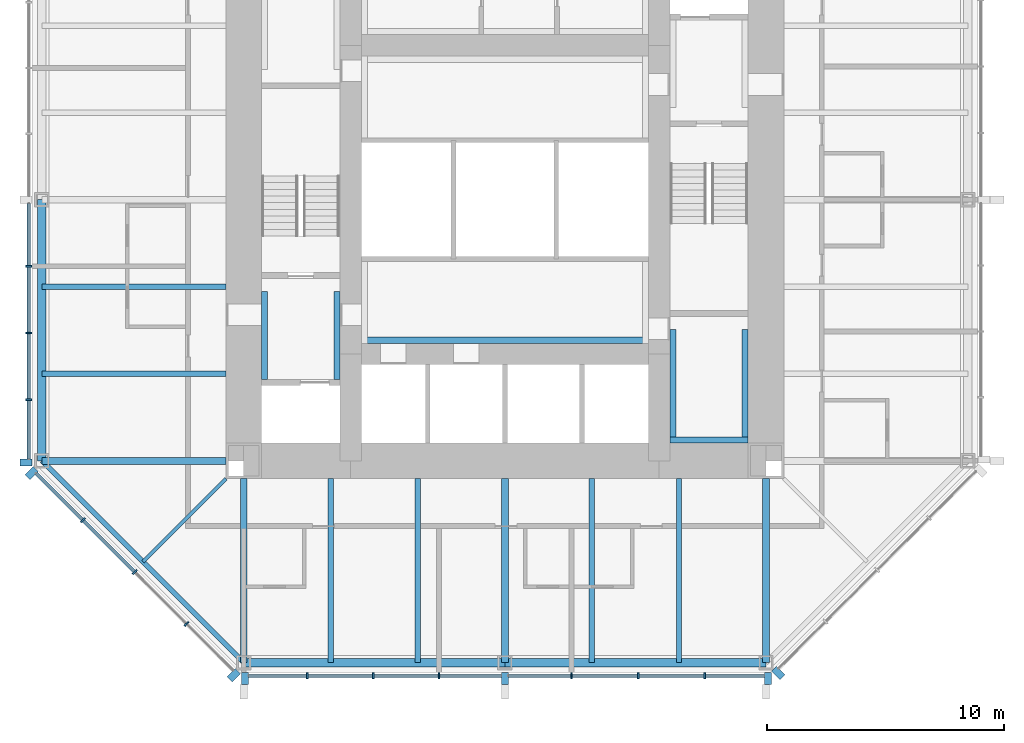
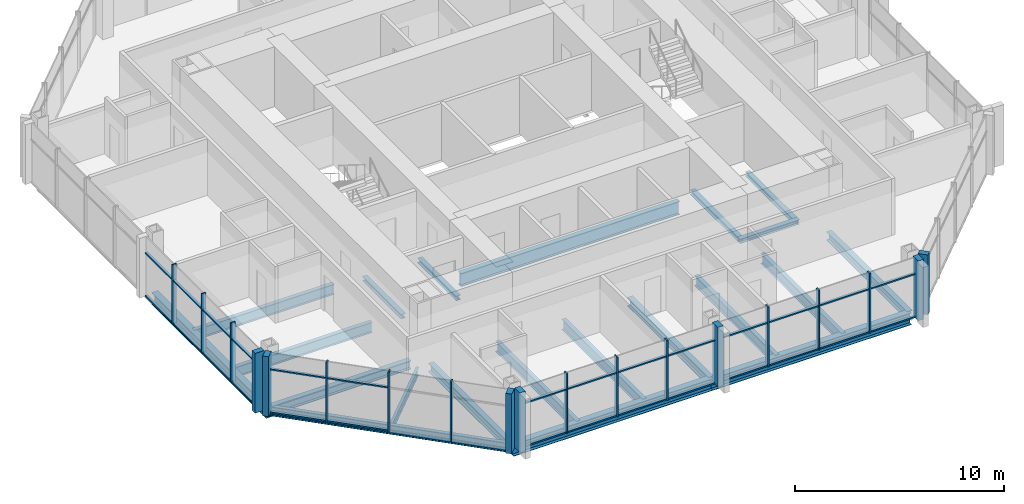
# One storey, part 2 of 11: 47 members, 21 beams, 4 elements without a shape of their own.
"""IFC4 building model written with IfcOpenShell, lengths in metres."""

from ifc_helpers import new_model, si_unit, direction, frame, origin, origin_2d, place, context, subcontext, project, spatial, rectangle, i_section, extrude, material, material_profile, profile_set, type_object, element, aggregate, save


model = new_model("IFC4")

# Units and contexts
model_context = context("Model", 3, precision=1e-05, world=origin(), true_north=direction((0.0, 1.0)))
body_context = subcontext(model_context, "Body", "Model", "MODEL_VIEW")
ifc_project = project(units=[si_unit("LENGTHUNIT", "METRE"), si_unit("AREAUNIT", "SQUARE_METRE"), si_unit("VOLUMEUNIT", "CUBIC_METRE"), si_unit("PLANEANGLEUNIT", "RADIAN"), si_unit("MASSUNIT", "GRAM", prefix="KILO")], contexts=[model_context])

# Site, building, storey
site_placement = place(None, origin())
site = spatial("IfcSite", under=ifc_project, at=site_placement, CompositionType="ELEMENT")
building_placement = place(site_placement, origin())
building = spatial("IfcBuilding", under=site, at=building_placement, Name="Trevanion Tower", CompositionType="ELEMENT")
storey_placement = place(building_placement, frame((0.0, 0.0, 211.699951171875)))
storey = spatial("IfcBuildingStorey", under=building, at=storey_placement, Name="L50", CompositionType="ELEMENT", Elevation=211.699951171875)

# Beams
ifc_material_1 = material(Name="Steel ASTM A992 Grade 50", Category="steel")
ifc_material_profile_1 = material_profile(ifc_material_1, i_section(OverallWidth=0.228271484375, OverallDepth=0.607177734375, WebThickness=0.01123046875, FlangeThickness=0.017333984375, at=origin_2d()), Name="W24X76")
ifc_profile_set_1 = profile_set([ifc_material_profile_1], Name="Steel ASTM A992 Grade 50")
beam_type_1 = type_object("IfcBeamType", Name="B11 W24X76", PredefinedType="BEAM", material=ifc_profile_set_1)
for number, where, z_axis, x_axis, name in (
    (1, (-11.75, -3.666748046875, -0.493408203125), (-1.0, 0.0, 0.0), (0.0, -1.0, 0.0), "B11 L50"),
    (2, (-11.75, -7.333251953125, -0.493408203125), (-1.0, 0.0, 0.0), (0.0, -1.0, 0.0), "B11 L50"),
    (3, (-7.333251953125, -11.75, -0.493408203125), (0.0, -1.0, 0.0), (1.0, 0.0, 0.0), "B11 L50"),
    (4, (-3.666748046875, -11.75, -0.493408203125), (0.0, -1.0, 0.0), (1.0, 0.0, 0.0), "B11 L50"),
    (5, (3.666748046875, -11.75, -0.493408203125), (0.0, -1.0, 0.0), (1.0, 0.0, 0.0), "B11 L50"),
    (6, (7.333251953125, -11.75, -0.493408203125), (0.0, -1.0, 0.0), (1.0, 0.0, 0.0), "B11 L50"),
):
    element("IfcBeam", number, at=place(storey_placement, frame(where, z_axis=z_axis, x_axis=x_axis)), inside=storey, type_object=beam_type_1, Name=name, PredefinedType="BEAM", context=body_context, shape_type="SweptSolid", body=[
        extrude(i_section(OverallWidth=0.228271484375, OverallDepth=0.607177734375, WebThickness=0.01123046875, FlangeThickness=0.017333984375, at=origin_2d()), origin(), (0.0, 0.0, 1.0), 7.75),
    ])
ifc_material_2 = material(Name="Steel ASTM A992 Grade 50", Category="steel")
ifc_material_profile_2 = material_profile(ifc_material_2, i_section(OverallWidth=0.15234375, OverallDepth=0.449462890625, WebThickness=0.007568359375, FlangeThickness=0.0107421875, at=origin_2d()), Name="W18X35")
ifc_profile_set_2 = profile_set([ifc_material_profile_2], Name="Steel ASTM A992 Grade 50")
beam_type_2 = type_object("IfcBeamType", Name="B12 W18X35", PredefinedType="BEAM", material=ifc_profile_set_2)
beam_1_placement = place(storey_placement, frame((-11.75, -11.75, -0.414794921875), z_axis=(-0.707106781187, -0.707106781187, 0.0), x_axis=(0.707106781187, -0.707106781187, 0.0)))
element("IfcBeam", 7, at=beam_1_placement, inside=storey, type_object=beam_type_2, Name="B12 L50", PredefinedType="BEAM", context=body_context, shape_type="SweptSolid", body=[
    extrude(i_section(OverallWidth=0.15234375, OverallDepth=0.449462890625, WebThickness=0.007568359375, FlangeThickness=0.0107421875, at=origin_2d()), origin(), (0.0, 0.0, 1.0), 4.94970703125),
])

# Curtain wall, members
ifc_material_3 = material(Name="Aluminium and glass", Category="aluminium")
curtain_wall_type = type_object("IfcCurtainWallType", Name="CW3 curtain wall", PredefinedType="USERDEFINED", material=ifc_material_3)
curtain_wall_1_placement = place(storey_placement, origin())
curtain_wall_1 = element("IfcCurtainWall", 8, at=curtain_wall_1_placement, inside=storey, type_object=curtain_wall_type, Name="CW3 L50 4", ObjectType="UNITISED CURTAIN WALL", PredefinedType="USERDEFINED")
ifc_material_4 = material(Name="Aluminium extrusion, anodised bronze", Category="aluminium")
ifc_material_profile_3 = material_profile(ifc_material_4, rectangle(XDim=0.074951171875, YDim=0.25, at=origin_2d()), Name="CW3 mullion")
ifc_profile_set_3 = profile_set([ifc_material_profile_3], Name="Aluminium extrusion, anodised bronze")
member_type_1 = type_object("IfcMemberType", Name="CW3 mullion", PredefinedType="MULLION", material=ifc_profile_set_3)
member_1_placement = place(storey_placement, frame((-20.050048828125, -2.806884765625, -0.18994140625), z_axis=(0.0, 0.0, 1.0), x_axis=(0.0, -1.0, 0.0)))
member_1 = element("IfcMember", 9, at=member_1_placement, type_object=member_type_1, Name="CW3 mullion 6", PredefinedType="MULLION", context=body_context, shape_type="SweptSolid", body=[
    extrude(rectangle(XDim=0.074951171875, YDim=0.25, at=origin_2d()), origin(), (0.0, 0.0, 1.0), 3.5),
])
member_2_placement = place(storey_placement, frame((-20.050048828125, -5.614013671875, -0.18994140625), z_axis=(0.0, 0.0, 1.0), x_axis=(0.0, -1.0, 0.0)))
member_2 = element("IfcMember", 10, at=member_2_placement, type_object=member_type_1, Name="CW3 mullion 7", PredefinedType="MULLION", context=body_context, shape_type="SweptSolid", body=[
    extrude(rectangle(XDim=0.074951171875, YDim=0.25, at=origin_2d()), origin(), (0.0, 0.0, 1.0), 3.5),
])
member_3_placement = place(storey_placement, frame((-20.050048828125, -8.4208984375, -0.18994140625), z_axis=(0.0, 0.0, 1.0), x_axis=(0.0, -1.0, 0.0)))
member_3 = element("IfcMember", 11, at=member_3_placement, type_object=member_type_1, Name="CW3 mullion 8", PredefinedType="MULLION", context=body_context, shape_type="SweptSolid", body=[
    extrude(rectangle(XDim=0.074951171875, YDim=0.25, at=origin_2d()), origin(), (0.0, 0.0, 1.0), 3.5),
])

curtain_wall_2_placement = place(storey_placement, origin())
curtain_wall_2 = element("IfcCurtainWall", 12, at=curtain_wall_2_placement, inside=storey, type_object=curtain_wall_type, Name="CW3 L50 5", ObjectType="UNITISED CURTAIN WALL", PredefinedType="USERDEFINED")
member_4_placement = place(storey_placement, frame((-17.775390625, -13.502197265625, -0.18994140625), z_axis=(0.0, 0.0, 1.0), x_axis=(0.707106781187, -0.707106781187, 0.0)))
member_4 = element("IfcMember", 13, at=member_4_placement, type_object=member_type_1, Name="CW3 mullion 2", PredefinedType="MULLION", context=body_context, shape_type="SweptSolid", body=[
    extrude(rectangle(XDim=0.074951171875, YDim=0.25, at=origin_2d()), origin(), (0.0, 0.0, 1.0), 3.5),
])
member_5_placement = place(storey_placement, frame((-15.593017578125, -15.684814453125, -0.18994140625), z_axis=(0.0, 0.0, 1.0), x_axis=(0.707106781187, -0.707106781187, 0.0)))
member_5 = element("IfcMember", 14, at=member_5_placement, type_object=member_type_1, Name="CW3 mullion 3", PredefinedType="MULLION", context=body_context, shape_type="SweptSolid", body=[
    extrude(rectangle(XDim=0.074951171875, YDim=0.25, at=origin_2d()), origin(), (0.0, 0.0, 1.0), 3.5),
])
member_6_placement = place(storey_placement, frame((-13.410400390625, -17.867431640625, -0.18994140625), z_axis=(0.0, 0.0, 1.0), x_axis=(0.707106781187, -0.707106781187, 0.0)))
member_6 = element("IfcMember", 15, at=member_6_placement, type_object=member_type_1, Name="CW3 mullion 4", PredefinedType="MULLION", context=body_context, shape_type="SweptSolid", body=[
    extrude(rectangle(XDim=0.074951171875, YDim=0.25, at=origin_2d()), origin(), (0.0, 0.0, 1.0), 3.5),
])

curtain_wall_3_placement = place(storey_placement, origin())
curtain_wall_3 = element("IfcCurtainWall", 16, at=curtain_wall_3_placement, inside=storey, type_object=curtain_wall_type, Name="CW3 L50 6", ObjectType="UNITISED CURTAIN WALL", PredefinedType="USERDEFINED")
member_7_placement = place(storey_placement, frame((-8.323486328125, -20.050048828125, -0.18994140625), z_axis=(0.0, 0.0, 1.0), x_axis=(1.0, 0.0, 0.0)))
member_7 = element("IfcMember", 17, at=member_7_placement, type_object=member_type_1, Name="CW3 mullion 2", PredefinedType="MULLION", context=body_context, shape_type="SweptSolid", body=[
    extrude(rectangle(XDim=0.074951171875, YDim=0.25, at=origin_2d()), origin(), (0.0, 0.0, 1.0), 3.5),
])
member_8_placement = place(storey_placement, frame((-5.548828125, -20.050048828125, -0.18994140625), z_axis=(0.0, 0.0, 1.0), x_axis=(1.0, 0.0, 0.0)))
member_8 = element("IfcMember", 18, at=member_8_placement, type_object=member_type_1, Name="CW3 mullion 3", PredefinedType="MULLION", context=body_context, shape_type="SweptSolid", body=[
    extrude(rectangle(XDim=0.074951171875, YDim=0.25, at=origin_2d()), origin(), (0.0, 0.0, 1.0), 3.5),
])
member_9_placement = place(storey_placement, frame((-2.7744140625, -20.050048828125, -0.18994140625), z_axis=(0.0, 0.0, 1.0), x_axis=(1.0, 0.0, 0.0)))
member_9 = element("IfcMember", 19, at=member_9_placement, type_object=member_type_1, Name="CW3 mullion 4", PredefinedType="MULLION", context=body_context, shape_type="SweptSolid", body=[
    extrude(rectangle(XDim=0.074951171875, YDim=0.25, at=origin_2d()), origin(), (0.0, 0.0, 1.0), 3.5),
])
member_10_placement = place(storey_placement, frame((2.806884765625, -20.050048828125, -0.18994140625), z_axis=(0.0, 0.0, 1.0), x_axis=(1.0, 0.0, 0.0)))
member_10 = element("IfcMember", 20, at=member_10_placement, type_object=member_type_1, Name="CW3 mullion 6", PredefinedType="MULLION", context=body_context, shape_type="SweptSolid", body=[
    extrude(rectangle(XDim=0.074951171875, YDim=0.25, at=origin_2d()), origin(), (0.0, 0.0, 1.0), 3.5),
])
member_11_placement = place(storey_placement, frame((5.614013671875, -20.050048828125, -0.18994140625), z_axis=(0.0, 0.0, 1.0), x_axis=(1.0, 0.0, 0.0)))
member_11 = element("IfcMember", 21, at=member_11_placement, type_object=member_type_1, Name="CW3 mullion 7", PredefinedType="MULLION", context=body_context, shape_type="SweptSolid", body=[
    extrude(rectangle(XDim=0.074951171875, YDim=0.25, at=origin_2d()), origin(), (0.0, 0.0, 1.0), 3.5),
])
member_12_placement = place(storey_placement, frame((8.4208984375, -20.050048828125, -0.18994140625), z_axis=(0.0, 0.0, 1.0), x_axis=(1.0, 0.0, 0.0)))
member_12 = element("IfcMember", 22, at=member_12_placement, type_object=member_type_1, Name="CW3 mullion 8", PredefinedType="MULLION", context=body_context, shape_type="SweptSolid", body=[
    extrude(rectangle(XDim=0.074951171875, YDim=0.25, at=origin_2d()), origin(), (0.0, 0.0, 1.0), 3.5),
])

# Member
ifc_material_5 = material(Name="Aluminium extrusion, anodised bronze", Category="aluminium")
ifc_material_profile_4 = material_profile(ifc_material_5, rectangle(XDim=0.300048828125, YDim=0.5, at=origin_2d()), Name="CW3 pier mullion")
ifc_profile_set_4 = profile_set([ifc_material_profile_4], Name="Aluminium extrusion, anodised bronze")
member_type_2 = type_object("IfcMemberType", Name="CW3 pier mullion", PredefinedType="MULLION", material=ifc_profile_set_4)
member_13_placement = place(storey_placement, frame((-20.175048828125, -11.077880859375, -0.18994140625), z_axis=(0.0, 0.0, 1.0), x_axis=(0.0, -1.0, 0.0)))
member_13 = element("IfcMember", 23, at=member_13_placement, type_object=member_type_2, Name="CW3 pier mullion 9", PredefinedType="MULLION", context=body_context, shape_type="SweptSolid", body=[
    extrude(rectangle(XDim=0.300048828125, YDim=0.5, at=origin_2d()), origin(), (0.0, 0.0, 1.0), 3.5),
])

member_14_placement = place(storey_placement, frame((-19.9404296875, -11.51416015625, -0.18994140625), z_axis=(0.0, 0.0, 1.0), x_axis=(0.707106781187, -0.707106781187, 0.0)))
member_14 = element("IfcMember", 24, at=member_14_placement, type_object=member_type_2, Name="CW3 pier mullion 1", PredefinedType="MULLION", context=body_context, shape_type="SweptSolid", body=[
    extrude(rectangle(XDim=0.300048828125, YDim=0.5, at=origin_2d()), origin(), (0.0, 0.0, 1.0), 3.5),
])

member_15_placement = place(storey_placement, frame((-11.42236328125, -20.0322265625, -0.18994140625), z_axis=(0.0, 0.0, 1.0), x_axis=(0.707106781187, -0.707106781187, 0.0)))
member_15 = element("IfcMember", 25, at=member_15_placement, type_object=member_type_2, Name="CW3 pier mullion 5", PredefinedType="MULLION", context=body_context, shape_type="SweptSolid", body=[
    extrude(rectangle(XDim=0.300048828125, YDim=0.5, at=origin_2d()), origin(), (0.0, 0.0, 1.0), 3.5),
])

member_16_placement = place(storey_placement, frame((-10.94775390625, -20.175048828125, -0.18994140625), z_axis=(0.0, 0.0, 1.0), x_axis=(1.0, 0.0, 0.0)))
member_16 = element("IfcMember", 26, at=member_16_placement, type_object=member_type_2, Name="CW3 pier mullion 1", PredefinedType="MULLION", context=body_context, shape_type="SweptSolid", body=[
    extrude(rectangle(XDim=0.300048828125, YDim=0.5, at=origin_2d()), origin(), (0.0, 0.0, 1.0), 3.5),
])

member_17_placement = place(storey_placement, frame((0.0, -20.175048828125, -0.18994140625), z_axis=(0.0, 0.0, 1.0), x_axis=(1.0, 0.0, 0.0)))
member_17 = element("IfcMember", 27, at=member_17_placement, type_object=member_type_2, Name="CW3 pier mullion 5", PredefinedType="MULLION", context=body_context, shape_type="SweptSolid", body=[
    extrude(rectangle(XDim=0.300048828125, YDim=0.5, at=origin_2d()), origin(), (0.0, 0.0, 1.0), 3.5),
])

member_18_placement = place(storey_placement, frame((11.077880859375, -20.175048828125, -0.18994140625), z_axis=(0.0, 0.0, 1.0), x_axis=(1.0, 0.0, 0.0)))
member_18 = element("IfcMember", 28, at=member_18_placement, type_object=member_type_2, Name="CW3 pier mullion 9", PredefinedType="MULLION", context=body_context, shape_type="SweptSolid", body=[
    extrude(rectangle(XDim=0.300048828125, YDim=0.5, at=origin_2d()), origin(), (0.0, 0.0, 1.0), 3.5),
])

# Curtain wall, member
curtain_wall_4_placement = place(storey_placement, origin())
curtain_wall_4 = element("IfcCurtainWall", 29, at=curtain_wall_4_placement, inside=storey, type_object=curtain_wall_type, Name="CW3 L50 7", ObjectType="UNITISED CURTAIN WALL", PredefinedType="USERDEFINED")
member_19_placement = place(storey_placement, frame((11.51416015625, -19.9404296875, -0.18994140625), z_axis=(0.0, 0.0, 1.0), x_axis=(0.707106781187, 0.707106781187, 0.0)))
member_19 = element("IfcMember", 30, at=member_19_placement, type_object=member_type_2, Name="CW3 pier mullion 1", PredefinedType="MULLION", context=body_context, shape_type="SweptSolid", body=[
    extrude(rectangle(XDim=0.300048828125, YDim=0.5, at=origin_2d()), origin(), (0.0, 0.0, 1.0), 3.5),
])
aggregate(curtain_wall_4, [member_19])

# Member
ifc_material_6 = material(Name="Aluminium extrusion, anodised bronze", Category="aluminium")
ifc_material_profile_5 = material_profile(ifc_material_6, rectangle(XDim=0.14990234375, YDim=0.074951171875, at=origin_2d()), Name="CW3 transom")
ifc_profile_set_5 = profile_set([ifc_material_profile_5], Name="Aluminium extrusion, anodised bronze")
member_type_3 = type_object("IfcMemberType", Name="CW3 transom", PredefinedType="USERDEFINED", material=ifc_profile_set_5)
member_20_placement = place(storey_placement, frame((-20.050048828125, -0.14990234375, -0.15234375), z_axis=(0.0, -1.0, 0.0), x_axis=(1.0, 0.0, 0.0)))
member_20 = element("IfcMember", 31, at=member_20_placement, type_object=member_type_3, Name="CW3 transom 5.1", ObjectType="TRANSOM", PredefinedType="USERDEFINED", context=body_context, shape_type="SweptSolid", body=[
    extrude(rectangle(XDim=0.14990234375, YDim=0.074951171875, at=origin_2d()), origin(), (0.0, 0.0, 1.0), 2.619384765625),
])

member_21_placement = place(storey_placement, frame((-20.050048828125, -0.14990234375, 2.360107421875), z_axis=(0.0, -1.0, 0.0), x_axis=(1.0, 0.0, 0.0)))
member_21 = element("IfcMember", 32, at=member_21_placement, type_object=member_type_3, Name="CW3 transom 5.2", ObjectType="TRANSOM", PredefinedType="USERDEFINED", context=body_context, shape_type="SweptSolid", body=[
    extrude(rectangle(XDim=0.14990234375, YDim=0.074951171875, at=origin_2d()), origin(), (0.0, 0.0, 1.0), 2.619384765625),
])

member_22_placement = place(storey_placement, frame((-20.050048828125, -2.844482421875, -0.15234375), z_axis=(0.0, -1.0, 0.0), x_axis=(1.0, 0.0, 0.0)))
member_22 = element("IfcMember", 33, at=member_22_placement, type_object=member_type_3, Name="CW3 transom 6.1", ObjectType="TRANSOM", PredefinedType="USERDEFINED", context=body_context, shape_type="SweptSolid", body=[
    extrude(rectangle(XDim=0.14990234375, YDim=0.074951171875, at=origin_2d()), origin(), (0.0, 0.0, 1.0), 2.73193359375),
])

member_23_placement = place(storey_placement, frame((-20.050048828125, -2.844482421875, 2.360107421875), z_axis=(0.0, -1.0, 0.0), x_axis=(1.0, 0.0, 0.0)))
member_23 = element("IfcMember", 34, at=member_23_placement, type_object=member_type_3, Name="CW3 transom 6.2", ObjectType="TRANSOM", PredefinedType="USERDEFINED", context=body_context, shape_type="SweptSolid", body=[
    extrude(rectangle(XDim=0.14990234375, YDim=0.074951171875, at=origin_2d()), origin(), (0.0, 0.0, 1.0), 2.73193359375),
])

member_24_placement = place(storey_placement, frame((-20.050048828125, -5.6513671875, -0.15234375), z_axis=(0.0, -1.0, 0.0), x_axis=(1.0, 0.0, 0.0)))
member_24 = element("IfcMember", 35, at=member_24_placement, type_object=member_type_3, Name="CW3 transom 7.1", ObjectType="TRANSOM", PredefinedType="USERDEFINED", context=body_context, shape_type="SweptSolid", body=[
    extrude(rectangle(XDim=0.14990234375, YDim=0.074951171875, at=origin_2d()), origin(), (0.0, 0.0, 1.0), 2.73193359375),
])

member_25_placement = place(storey_placement, frame((-20.050048828125, -5.6513671875, 2.360107421875), z_axis=(0.0, -1.0, 0.0), x_axis=(1.0, 0.0, 0.0)))
member_25 = element("IfcMember", 36, at=member_25_placement, type_object=member_type_3, Name="CW3 transom 7.2", ObjectType="TRANSOM", PredefinedType="USERDEFINED", context=body_context, shape_type="SweptSolid", body=[
    extrude(rectangle(XDim=0.14990234375, YDim=0.074951171875, at=origin_2d()), origin(), (0.0, 0.0, 1.0), 2.73193359375),
])

member_26_placement = place(storey_placement, frame((-20.050048828125, -8.45849609375, -0.15234375), z_axis=(0.0, -1.0, 0.0), x_axis=(1.0, 0.0, 0.0)))
member_26 = element("IfcMember", 37, at=member_26_placement, type_object=member_type_3, Name="CW3 transom 8.1", ObjectType="TRANSOM", PredefinedType="USERDEFINED", context=body_context, shape_type="SweptSolid", body=[
    extrude(rectangle(XDim=0.14990234375, YDim=0.074951171875, at=origin_2d()), origin(), (0.0, 0.0, 1.0), 2.46923828125),
])

member_27_placement = place(storey_placement, frame((-20.050048828125, -8.45849609375, 2.360107421875), z_axis=(0.0, -1.0, 0.0), x_axis=(1.0, 0.0, 0.0)))
member_27 = element("IfcMember", 38, at=member_27_placement, type_object=member_type_3, Name="CW3 transom 8.2", ObjectType="TRANSOM", PredefinedType="USERDEFINED", context=body_context, shape_type="SweptSolid", body=[
    extrude(rectangle(XDim=0.14990234375, YDim=0.074951171875, at=origin_2d()), origin(), (0.0, 0.0, 1.0), 2.46923828125),
])

aggregate(curtain_wall_1, [member_1, member_2, member_3, member_13, member_20, member_21, member_22, member_23, member_24, member_25, member_26, member_27])

member_28_placement = place(storey_placement, frame((-19.745849609375, -11.531982421875, -0.15234375), z_axis=(0.707106781187, -0.707106781187, 0.0), x_axis=(0.707106781187, 0.707106781187, 0.0)))
member_28 = element("IfcMember", 39, at=member_28_placement, type_object=member_type_3, Name="CW3 transom 1.1", ObjectType="TRANSOM", PredefinedType="USERDEFINED", context=body_context, shape_type="SweptSolid", body=[
    extrude(rectangle(XDim=0.14990234375, YDim=0.074951171875, at=origin_2d()), origin(), (0.0, 0.0, 1.0), 2.7490234375),
])

member_29_placement = place(storey_placement, frame((-19.745849609375, -11.531982421875, 2.360107421875), z_axis=(0.707106781187, -0.707106781187, 0.0), x_axis=(0.707106781187, 0.707106781187, 0.0)))
member_29 = element("IfcMember", 40, at=member_29_placement, type_object=member_type_3, Name="CW3 transom 1.2", ObjectType="TRANSOM", PredefinedType="USERDEFINED", context=body_context, shape_type="SweptSolid", body=[
    extrude(rectangle(XDim=0.14990234375, YDim=0.074951171875, at=origin_2d()), origin(), (0.0, 0.0, 1.0), 2.7490234375),
])

member_30_placement = place(storey_placement, frame((-17.7490234375, -13.52880859375, -0.15234375), z_axis=(0.707106781187, -0.707106781187, 0.0), x_axis=(0.707106781187, 0.707106781187, 0.0)))
member_30 = element("IfcMember", 41, at=member_30_placement, type_object=member_type_3, Name="CW3 transom 2.1", ObjectType="TRANSOM", PredefinedType="USERDEFINED", context=body_context, shape_type="SweptSolid", body=[
    extrude(rectangle(XDim=0.14990234375, YDim=0.074951171875, at=origin_2d()), origin(), (0.0, 0.0, 1.0), 3.01171875),
])

member_31_placement = place(storey_placement, frame((-17.7490234375, -13.52880859375, 2.360107421875), z_axis=(0.707106781187, -0.707106781187, 0.0), x_axis=(0.707106781187, 0.707106781187, 0.0)))
member_31 = element("IfcMember", 42, at=member_31_placement, type_object=member_type_3, Name="CW3 transom 2.2", ObjectType="TRANSOM", PredefinedType="USERDEFINED", context=body_context, shape_type="SweptSolid", body=[
    extrude(rectangle(XDim=0.14990234375, YDim=0.074951171875, at=origin_2d()), origin(), (0.0, 0.0, 1.0), 3.01171875),
])

aggregate(curtain_wall_2, [member_14, member_4, member_5, member_6, member_15, member_28, member_29, member_30, member_31])

member_32_placement = place(storey_placement, frame((-10.7978515625, -20.050048828125, -0.15234375), z_axis=(1.0, 0.0, 0.0), x_axis=(0.0, 1.0, 0.0)))
member_32 = element("IfcMember", 43, at=member_32_placement, type_object=member_type_3, Name="CW3 transom 1.1", ObjectType="TRANSOM", PredefinedType="USERDEFINED", context=body_context, shape_type="SweptSolid", body=[
    extrude(rectangle(XDim=0.14990234375, YDim=0.074951171875, at=origin_2d()), origin(), (0.0, 0.0, 1.0), 2.43701171875),
])

member_33_placement = place(storey_placement, frame((-10.7978515625, -20.050048828125, 2.360107421875), z_axis=(1.0, 0.0, 0.0), x_axis=(0.0, 1.0, 0.0)))
member_33 = element("IfcMember", 44, at=member_33_placement, type_object=member_type_3, Name="CW3 transom 1.2", ObjectType="TRANSOM", PredefinedType="USERDEFINED", context=body_context, shape_type="SweptSolid", body=[
    extrude(rectangle(XDim=0.14990234375, YDim=0.074951171875, at=origin_2d()), origin(), (0.0, 0.0, 1.0), 2.43701171875),
])

member_34_placement = place(storey_placement, frame((-8.285888671875, -20.050048828125, -0.15234375), z_axis=(1.0, 0.0, 0.0), x_axis=(0.0, 1.0, 0.0)))
member_34 = element("IfcMember", 45, at=member_34_placement, type_object=member_type_3, Name="CW3 transom 2.1", ObjectType="TRANSOM", PredefinedType="USERDEFINED", context=body_context, shape_type="SweptSolid", body=[
    extrude(rectangle(XDim=0.14990234375, YDim=0.074951171875, at=origin_2d()), origin(), (0.0, 0.0, 1.0), 2.699462890625),
])

member_35_placement = place(storey_placement, frame((-8.285888671875, -20.050048828125, 2.360107421875), z_axis=(1.0, 0.0, 0.0), x_axis=(0.0, 1.0, 0.0)))
member_35 = element("IfcMember", 46, at=member_35_placement, type_object=member_type_3, Name="CW3 transom 2.2", ObjectType="TRANSOM", PredefinedType="USERDEFINED", context=body_context, shape_type="SweptSolid", body=[
    extrude(rectangle(XDim=0.14990234375, YDim=0.074951171875, at=origin_2d()), origin(), (0.0, 0.0, 1.0), 2.699462890625),
])

member_36_placement = place(storey_placement, frame((-5.511474609375, -20.050048828125, -0.15234375), z_axis=(1.0, 0.0, 0.0), x_axis=(0.0, 1.0, 0.0)))
member_36 = element("IfcMember", 47, at=member_36_placement, type_object=member_type_3, Name="CW3 transom 3.1", ObjectType="TRANSOM", PredefinedType="USERDEFINED", context=body_context, shape_type="SweptSolid", body=[
    extrude(rectangle(XDim=0.14990234375, YDim=0.074951171875, at=origin_2d()), origin(), (0.0, 0.0, 1.0), 2.699462890625),
])

member_37_placement = place(storey_placement, frame((-5.511474609375, -20.050048828125, 2.360107421875), z_axis=(1.0, 0.0, 0.0), x_axis=(0.0, 1.0, 0.0)))
member_37 = element("IfcMember", 48, at=member_37_placement, type_object=member_type_3, Name="CW3 transom 3.2", ObjectType="TRANSOM", PredefinedType="USERDEFINED", context=body_context, shape_type="SweptSolid", body=[
    extrude(rectangle(XDim=0.14990234375, YDim=0.074951171875, at=origin_2d()), origin(), (0.0, 0.0, 1.0), 2.699462890625),
])

member_38_placement = place(storey_placement, frame((-2.737060546875, -20.050048828125, -0.15234375), z_axis=(1.0, 0.0, 0.0), x_axis=(0.0, 1.0, 0.0)))
member_38 = element("IfcMember", 49, at=member_38_placement, type_object=member_type_3, Name="CW3 transom 4.1", ObjectType="TRANSOM", PredefinedType="USERDEFINED", context=body_context, shape_type="SweptSolid", body=[
    extrude(rectangle(XDim=0.14990234375, YDim=0.074951171875, at=origin_2d()), origin(), (0.0, 0.0, 1.0), 2.587158203125),
])

member_39_placement = place(storey_placement, frame((-2.737060546875, -20.050048828125, 2.360107421875), z_axis=(1.0, 0.0, 0.0), x_axis=(0.0, 1.0, 0.0)))
member_39 = element("IfcMember", 50, at=member_39_placement, type_object=member_type_3, Name="CW3 transom 4.2", ObjectType="TRANSOM", PredefinedType="USERDEFINED", context=body_context, shape_type="SweptSolid", body=[
    extrude(rectangle(XDim=0.14990234375, YDim=0.074951171875, at=origin_2d()), origin(), (0.0, 0.0, 1.0), 2.587158203125),
])

member_40_placement = place(storey_placement, frame((0.14990234375, -20.050048828125, -0.15234375), z_axis=(1.0, 0.0, 0.0), x_axis=(0.0, 1.0, 0.0)))
member_40 = element("IfcMember", 51, at=member_40_placement, type_object=member_type_3, Name="CW3 transom 5.1", ObjectType="TRANSOM", PredefinedType="USERDEFINED", context=body_context, shape_type="SweptSolid", body=[
    extrude(rectangle(XDim=0.14990234375, YDim=0.074951171875, at=origin_2d()), origin(), (0.0, 0.0, 1.0), 2.619384765625),
])

member_41_placement = place(storey_placement, frame((0.14990234375, -20.050048828125, 2.360107421875), z_axis=(1.0, 0.0, 0.0), x_axis=(0.0, 1.0, 0.0)))
member_41 = element("IfcMember", 52, at=member_41_placement, type_object=member_type_3, Name="CW3 transom 5.2", ObjectType="TRANSOM", PredefinedType="USERDEFINED", context=body_context, shape_type="SweptSolid", body=[
    extrude(rectangle(XDim=0.14990234375, YDim=0.074951171875, at=origin_2d()), origin(), (0.0, 0.0, 1.0), 2.619384765625),
])

member_42_placement = place(storey_placement, frame((2.844482421875, -20.050048828125, -0.15234375), z_axis=(1.0, 0.0, 0.0), x_axis=(0.0, 1.0, 0.0)))
member_42 = element("IfcMember", 53, at=member_42_placement, type_object=member_type_3, Name="CW3 transom 6.1", ObjectType="TRANSOM", PredefinedType="USERDEFINED", context=body_context, shape_type="SweptSolid", body=[
    extrude(rectangle(XDim=0.14990234375, YDim=0.074951171875, at=origin_2d()), origin(), (0.0, 0.0, 1.0), 2.73193359375),
])

member_43_placement = place(storey_placement, frame((2.844482421875, -20.050048828125, 2.360107421875), z_axis=(1.0, 0.0, 0.0), x_axis=(0.0, 1.0, 0.0)))
member_43 = element("IfcMember", 54, at=member_43_placement, type_object=member_type_3, Name="CW3 transom 6.2", ObjectType="TRANSOM", PredefinedType="USERDEFINED", context=body_context, shape_type="SweptSolid", body=[
    extrude(rectangle(XDim=0.14990234375, YDim=0.074951171875, at=origin_2d()), origin(), (0.0, 0.0, 1.0), 2.73193359375),
])

member_44_placement = place(storey_placement, frame((5.6513671875, -20.050048828125, -0.15234375), z_axis=(1.0, 0.0, 0.0), x_axis=(0.0, 1.0, 0.0)))
member_44 = element("IfcMember", 55, at=member_44_placement, type_object=member_type_3, Name="CW3 transom 7.1", ObjectType="TRANSOM", PredefinedType="USERDEFINED", context=body_context, shape_type="SweptSolid", body=[
    extrude(rectangle(XDim=0.14990234375, YDim=0.074951171875, at=origin_2d()), origin(), (0.0, 0.0, 1.0), 2.73193359375),
])

member_45_placement = place(storey_placement, frame((5.6513671875, -20.050048828125, 2.360107421875), z_axis=(1.0, 0.0, 0.0), x_axis=(0.0, 1.0, 0.0)))
member_45 = element("IfcMember", 56, at=member_45_placement, type_object=member_type_3, Name="CW3 transom 7.2", ObjectType="TRANSOM", PredefinedType="USERDEFINED", context=body_context, shape_type="SweptSolid", body=[
    extrude(rectangle(XDim=0.14990234375, YDim=0.074951171875, at=origin_2d()), origin(), (0.0, 0.0, 1.0), 2.73193359375),
])

member_46_placement = place(storey_placement, frame((8.45849609375, -20.050048828125, -0.15234375), z_axis=(1.0, 0.0, 0.0), x_axis=(0.0, 1.0, 0.0)))
member_46 = element("IfcMember", 57, at=member_46_placement, type_object=member_type_3, Name="CW3 transom 8.1", ObjectType="TRANSOM", PredefinedType="USERDEFINED", context=body_context, shape_type="SweptSolid", body=[
    extrude(rectangle(XDim=0.14990234375, YDim=0.074951171875, at=origin_2d()), origin(), (0.0, 0.0, 1.0), 2.46923828125),
])

member_47_placement = place(storey_placement, frame((8.45849609375, -20.050048828125, 2.360107421875), z_axis=(1.0, 0.0, 0.0), x_axis=(0.0, 1.0, 0.0)))
member_47 = element("IfcMember", 58, at=member_47_placement, type_object=member_type_3, Name="CW3 transom 8.2", ObjectType="TRANSOM", PredefinedType="USERDEFINED", context=body_context, shape_type="SweptSolid", body=[
    extrude(rectangle(XDim=0.14990234375, YDim=0.074951171875, at=origin_2d()), origin(), (0.0, 0.0, 1.0), 2.46923828125),
])

aggregate(curtain_wall_3, [member_16, member_7, member_8, member_9, member_17, member_10, member_11, member_12, member_18, member_32, member_33, member_34, member_35, member_36, member_37, member_38, member_39, member_40, member_41, member_42, member_43, member_44, member_45, member_46, member_47])

# Beams
ifc_material_7 = material(Name="Steel ASTM A992 Grade 50", Category="steel")
ifc_material_profile_6 = material_profile(ifc_material_7, i_section(OverallWidth=0.28955078125, OverallDepth=0.508056640625, WebThickness=0.022705078125, FlangeThickness=0.040283203125, at=origin_2d()), Name="W18X175")
ifc_profile_set_6 = profile_set([ifc_material_profile_6], Name="Steel ASTM A992 Grade 50")
beam_type_3 = type_object("IfcBeamType", Name="G6 W18X175", PredefinedType="BEAM", material=ifc_profile_set_6)
for number, where, z_axis, x_axis, name in (
    (59, (-11.75, -11.0, -0.44384765625), (-1.0, 0.0, 0.0), (0.0, -1.0, 0.0), "G6 L50"),
    (60, (-11.0, -11.75, -0.44384765625), (0.0, -1.0, 0.0), (1.0, 0.0, 0.0), "G6 L50"),
    (61, (0.0, -11.75, -0.44384765625), (0.0, -1.0, 0.0), (1.0, 0.0, 0.0), "G6 L50"),
    (62, (11.0, -11.75, -0.44384765625), (0.0, -1.0, 0.0), (1.0, 0.0, 0.0), "G6 L50"),
):
    element("IfcBeam", number, at=place(storey_placement, frame(where, z_axis=z_axis, x_axis=x_axis)), inside=storey, type_object=beam_type_3, Name=name, PredefinedType="BEAM", context=body_context, shape_type="SweptSolid", body=[
        extrude(i_section(OverallWidth=0.28955078125, OverallDepth=0.508056640625, WebThickness=0.022705078125, FlangeThickness=0.040283203125, at=origin_2d()), origin(), (0.0, 0.0, 1.0), 7.75),
    ])
ifc_material_8 = material(Name="Steel ASTM A992 Grade 50", Category="steel")
ifc_material_profile_7 = material_profile(ifc_material_8, i_section(OverallWidth=0.256591796875, OverallDepth=0.26416015625, WebThickness=0.011962890625, FlangeThickness=0.01953125, at=origin_2d()), Name="W10X68")
ifc_profile_set_7 = profile_set([ifc_material_profile_7], Name="Steel ASTM A992 Grade 50")
beam_type_4 = type_object("IfcBeamType", Name="LB1 W10X68", PredefinedType="BEAM", material=ifc_profile_set_7)
for number, where, z_axis, x_axis, name in (
    (63, (-10.12158203125, -7.574951171875, -0.33203125), (0.0, 1.0, 0.0), (-1.0, 0.0, 0.0), "LB1 L50"),
    (64, (-7.078369140625, -7.574951171875, -0.33203125), (0.0, 1.0, 0.0), (-1.0, 0.0, 0.0), "LB1 L50"),
):
    element("IfcBeam", number, at=place(storey_placement, frame(where, z_axis=z_axis, x_axis=x_axis)), inside=storey, type_object=beam_type_4, Name=name, PredefinedType="BEAM", context=body_context, shape_type="SweptSolid", body=[
        extrude(i_section(OverallWidth=0.256591796875, OverallDepth=0.26416015625, WebThickness=0.011962890625, FlangeThickness=0.01953125, at=origin_2d()), origin(), (0.0, 0.0, 1.0), 3.699951171875),
    ])
for number, where, z_axis, x_axis, name in (
    (65, (7.078369140625, -10.25, -0.33203125), (0.0, 1.0, 0.0), (-1.0, 0.0, 0.0), "LB1 L50"),
    (66, (10.12158203125, -10.25, -0.33203125), (0.0, 1.0, 0.0), (-1.0, 0.0, 0.0), "LB1 L50"),
):
    element("IfcBeam", number, at=place(storey_placement, frame(where, z_axis=z_axis, x_axis=x_axis)), inside=storey, type_object=beam_type_4, Name=name, PredefinedType="BEAM", context=body_context, shape_type="SweptSolid", body=[
        extrude(i_section(OverallWidth=0.256591796875, OverallDepth=0.26416015625, WebThickness=0.011962890625, FlangeThickness=0.01953125, at=origin_2d()), origin(), (0.0, 0.0, 1.0), 4.77490234375),
    ])
beam_2_placement = place(storey_placement, frame((6.949951171875, -10.12158203125, -0.33203125), z_axis=(1.0, 0.0, 0.0), x_axis=(0.0, 1.0, 0.0)))
element("IfcBeam", 67, at=beam_2_placement, inside=storey, type_object=beam_type_4, Name="LB1 L50", PredefinedType="BEAM", context=body_context, shape_type="SweptSolid", body=[
    extrude(i_section(OverallWidth=0.256591796875, OverallDepth=0.26416015625, WebThickness=0.011962890625, FlangeThickness=0.01953125, at=origin_2d()), origin(), (0.0, 0.0, 1.0), 3.300048828125),
])
ifc_material_9 = material(Name="Steel ASTM A992 Grade 50", Category="steel")
ifc_material_profile_8 = material_profile(ifc_material_9, i_section(OverallWidth=0.2666015625, OverallDepth=0.76953125, WebThickness=0.015625, FlangeThickness=0.025390625, at=origin_2d()), Name="W30X132")
ifc_profile_set_8 = profile_set([ifc_material_profile_8], Name="Steel ASTM A992 Grade 50")
beam_type_5 = type_object("IfcBeamType", Name="LB3 W30X132", PredefinedType="BEAM", material=ifc_profile_set_8)
beam_3_placement = place(storey_placement, frame((-6.050048828125, -5.91650390625, -0.584716796875), z_axis=(1.0, 0.0, 0.0), x_axis=(0.0, 1.0, 0.0)))
element("IfcBeam", 68, at=beam_3_placement, inside=storey, type_object=beam_type_5, Name="LB3 L50", PredefinedType="BEAM", context=body_context, shape_type="SweptSolid", body=[
    extrude(i_section(OverallWidth=0.2666015625, OverallDepth=0.76953125, WebThickness=0.015625, FlangeThickness=0.025390625, at=origin_2d()), origin(), (0.0, 0.0, 1.0), 12.10009765625),
])
ifc_material_10 = material(Name="Steel ASTM A992 Grade 50", Category="steel")
ifc_material_profile_9 = material_profile(ifc_material_10, i_section(OverallWidth=0.355712890625, OverallDepth=0.696044921875, WebThickness=0.015380859375, FlangeThickness=0.024658203125, at=origin_2d()), Name="W27X146")
ifc_profile_set_9 = profile_set([ifc_material_profile_9], Name="Steel ASTM A992 Grade 50")
beam_type_6 = type_object("IfcBeamType", Name="SB8 W27X146", PredefinedType="SPANDREL", material=ifc_profile_set_9)
for number, where, z_axis, x_axis, name in (
    (69, (-19.5, 0.0, -0.537841796875), (0.0, -1.0, 0.0), (1.0, 0.0, 0.0), "SB8 L50"),
    (70, (-11.0, -19.5, -0.537841796875), (1.0, 0.0, 0.0), (0.0, 1.0, 0.0), "SB8 L50"),
    (71, (0.0, -19.5, -0.537841796875), (1.0, 0.0, 0.0), (0.0, 1.0, 0.0), "SB8 L50"),
):
    element("IfcBeam", number, at=place(storey_placement, frame(where, z_axis=z_axis, x_axis=x_axis)), inside=storey, type_object=beam_type_6, Name=name, PredefinedType="SPANDREL", context=body_context, shape_type="SweptSolid", body=[
        extrude(i_section(OverallWidth=0.355712890625, OverallDepth=0.696044921875, WebThickness=0.015380859375, FlangeThickness=0.024658203125, at=origin_2d()), origin(), (0.0, 0.0, 1.0), 11.0),
    ])
ifc_material_11 = material(Name="Steel ASTM A992 Grade 50", Category="steel")
ifc_material_profile_10 = material_profile(ifc_material_11, i_section(OverallWidth=0.209228515625, OverallDepth=0.533447265625, WebThickness=0.01025390625, FlangeThickness=0.015625, at=origin_2d()), Name="W21X62")
ifc_profile_set_10 = profile_set([ifc_material_profile_10], Name="Steel ASTM A992 Grade 50")
beam_type_7 = type_object("IfcBeamType", Name="SB9 W21X62", PredefinedType="SPANDREL", material=ifc_profile_set_10)
beam_4_placement = place(storey_placement, frame((-19.5, -11.0, -0.45654296875), z_axis=(0.707106781187, -0.707106781187, 0.0), x_axis=(0.707106781187, 0.707106781187, 0.0)))
element("IfcBeam", 72, at=beam_4_placement, inside=storey, type_object=beam_type_7, Name="SB9 L50", PredefinedType="SPANDREL", context=body_context, shape_type="SweptSolid", body=[
    extrude(i_section(OverallWidth=0.209228515625, OverallDepth=0.533447265625, WebThickness=0.01025390625, FlangeThickness=0.015625, at=origin_2d()), origin(), (0.0, 0.0, 1.0), 12.020751953125),
])

save(model, "model.ifc")
